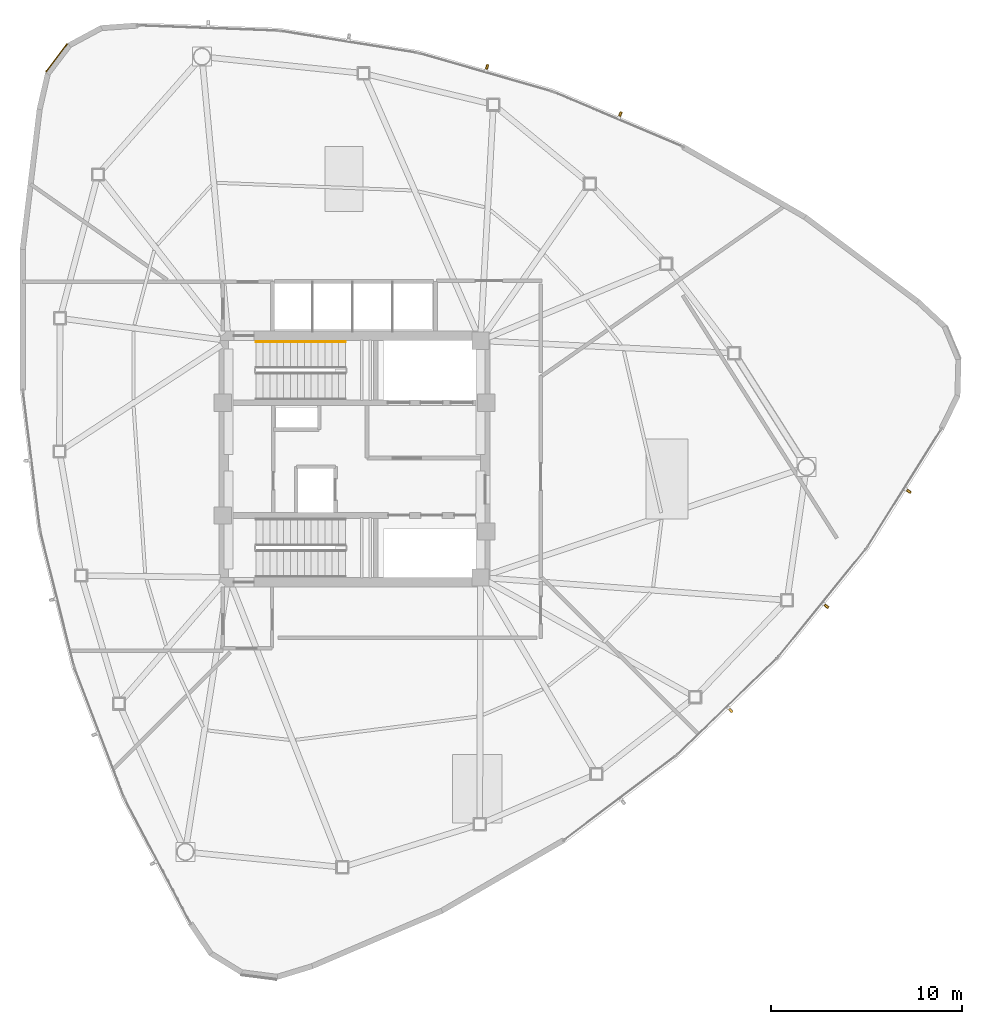
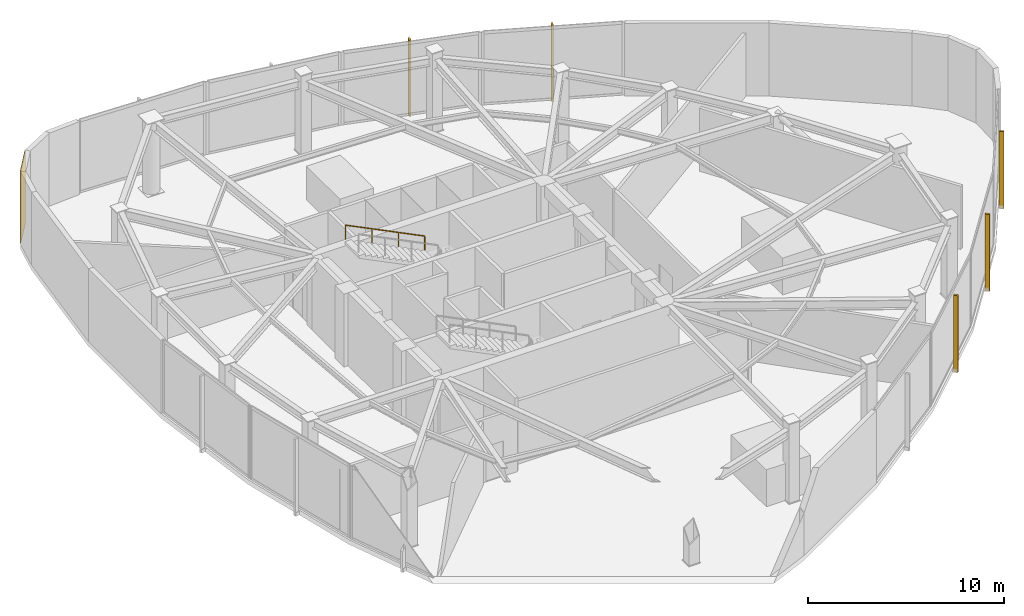
# One storey, part 15 of 17: 5 shading devices, 1 covering, 1 railing.
"""IFC4 building model written with IfcOpenShell, lengths in metres."""

from ifc_helpers import new_model, si_unit, direction, frame, origin, origin_2d, place, context, subcontext, project, spatial, rectangle, extrude, source, transform, mapped, material, layer, layer_set, type_object, type_shapes, element, save


model = new_model("IFC4")

# Units and contexts
model_context = context("Model", 3, precision=1e-05, world=origin(), true_north=direction((0.0, 1.0)))
body_context = subcontext(model_context, "Body", "Model", "MODEL_VIEW")
ifc_project = project(units=[si_unit("LENGTHUNIT", "METRE"), si_unit("AREAUNIT", "SQUARE_METRE"), si_unit("VOLUMEUNIT", "CUBIC_METRE"), si_unit("PLANEANGLEUNIT", "RADIAN"), si_unit("MASSUNIT", "GRAM", prefix="KILO")], contexts=[model_context])

# Site, building, storey
site_placement = place(None, origin())
site = spatial("IfcSite", under=ifc_project, at=site_placement, CompositionType="ELEMENT")
building_placement = place(site_placement, origin())
building = spatial("IfcBuilding", under=site, at=building_placement, Name="Tavelor Broadcast Tower", CompositionType="ELEMENT")
storey_placement = place(building_placement, frame((0.0, 0.0, 204.14990234375)))
storey = spatial("IfcBuildingStorey", under=building, at=storey_placement, Name="L49", CompositionType="ELEMENT", Elevation=204.14990234375)

# Covering
ifc_material_1 = material(Name="Copper-Bronze Anodized Aluminium", Category="aluminium")
ifc_layer = layer(ifc_material_1, 0.050048828125)
ifc_layer_set = layer_set([ifc_layer], Name="Copper-Bronze Anodized Aluminium")
covering_type = type_object("IfcCoveringType", Name="Champagne-Bronze Corner Pier Metal Cladding 50 mm", PredefinedType="CLADDING", material=ifc_layer_set)
covering_placement = place(storey_placement, frame((34.39501953125, 66.0224609375, 0.02001953125), z_axis=(0.0, 0.0, 1.0), x_axis=(-0.606682351002, -0.794944353388, 0.0)))
element("IfcCovering", 1, at=covering_placement, inside=storey, type_object=covering_type, Name="L49 Champagne-Bronze Corner Cladding 03", PredefinedType="CLADDING", context=body_context, shape_type="SweptSolid", body=[
    extrude(rectangle(XDim=1.844970703125, YDim=0.050048828125, at=origin_2d()), origin(), (0.0, 0.0, 1.0), 4.510009765625),
])

# Railing
ifc_material_2 = material(Name="Steel S355", Category="steel")
railing_type = type_object("IfcRailingType", Name="Continuous Brushed Stainless Handrail 900 mm", PredefinedType="HANDRAIL", material=ifc_material_2)
railing_placement = place(storey_placement, frame((49.530029296875, 51.14990234375, 2.6787109375)))
element("IfcRailing", 2, at=railing_placement, inside=storey, type_object=railing_type, Name="L49 ST1 stair handrail 2", PredefinedType="HANDRAIL", context=body_context, shape_type="SweptSolid", body=[
    extrude(rectangle(XDim=0.048095703125, YDim=0.048095703125, at=origin_2d()), frame((0.0, 0.0, 0.8759765625), z_axis=(-0.89585269218, 0.0, 0.444351160585), x_axis=(0.0, -1.0, 0.0)), (0.0, 0.0, 1.0), 5.223876953125),
    extrude(rectangle(XDim=0.0419921875, YDim=0.0419921875, at=origin_2d()), origin(), (0.0, 0.0, 1.0), 0.851806640625),
    extrude(rectangle(XDim=0.0419921875, YDim=0.0419921875, at=origin_2d()), frame((-1.56005859375, 0.0, 0.773681640625)), (0.0, 0.0, 1.0), 0.851806640625),
    extrude(rectangle(XDim=0.0419921875, YDim=0.0419921875, at=origin_2d()), frame((-3.119873046875, 0.0, 1.547607421875)), (0.0, 0.0, 1.0), 0.851806640625),
    extrude(rectangle(XDim=0.0419921875, YDim=0.0419921875, at=origin_2d()), frame((-4.679931640625, 0.0, 2.3212890625)), (0.0, 0.0, 1.0), 0.851806640625),
])

# Shading devices
ifc_material_3 = material(Name="Kiln-Fired Glazed Terracotta", Category="masonry")
shading_device_type = type_object("IfcShadingDeviceType", Name="Extruded Terracotta Baguette Sun-Screen 110x240", PredefinedType="JALOUSIE", material=ifc_material_3)
shared_shape = source(origin(), body_context, "Body", "SweptSolid", [
    extrude(rectangle(XDim=0.110107421875, YDim=0.239990234375, at=origin_2d()), origin(), (0.0, 0.0, 1.0), 4.7900390625),
])
type_shapes(shading_device_type, [shared_shape])
for number, where, z_axis, x_axis, name in (
    (3, (69.720703125, 31.828857421875, -0.260009765625), (0.0, 0.0, 1.0), (0.719582238024, 0.694407231184, 0.0), "L49 Terracotta Baguette Fin 522"),
    (4, (74.73046875, 37.28662109375, -0.260009765625), (0.0, 0.0, 1.0), (0.63026938405, 0.776376521753, 0.0), "L49 Terracotta Baguette Fin 523"),
    (5, (79.043212890625, 43.310791015625, -0.260009765625), (0.0, 0.0, 1.0), (0.531694248471, 0.846936376679, 0.0), "L49 Terracotta Baguette Fin 524"),
    (6, (63.9296875, 63.073486328125, -0.260009765625), (0.0, 0.0, 1.0), (-0.920641188263, 0.390409787882, 0.0), "L49 Terracotta Baguette Fin 525"),
    (7, (56.9462890625, 65.54638671875, -0.260009765625), (0.0, 0.0, 1.0), (-0.961165421789, 0.275972882649, 0.0), "L49 Terracotta Baguette Fin 526"),
):
    element("IfcShadingDevice", number, at=place(storey_placement, frame(where, z_axis=z_axis, x_axis=x_axis)), inside=storey, type_object=shading_device_type, Name=name, PredefinedType="JALOUSIE", context=body_context, shape_type="MappedRepresentation", body=[
        mapped(shared_shape, transform((0.0, 0.0, 0.0), scale=1.0)),
    ])

save(model, "model.ifc")
